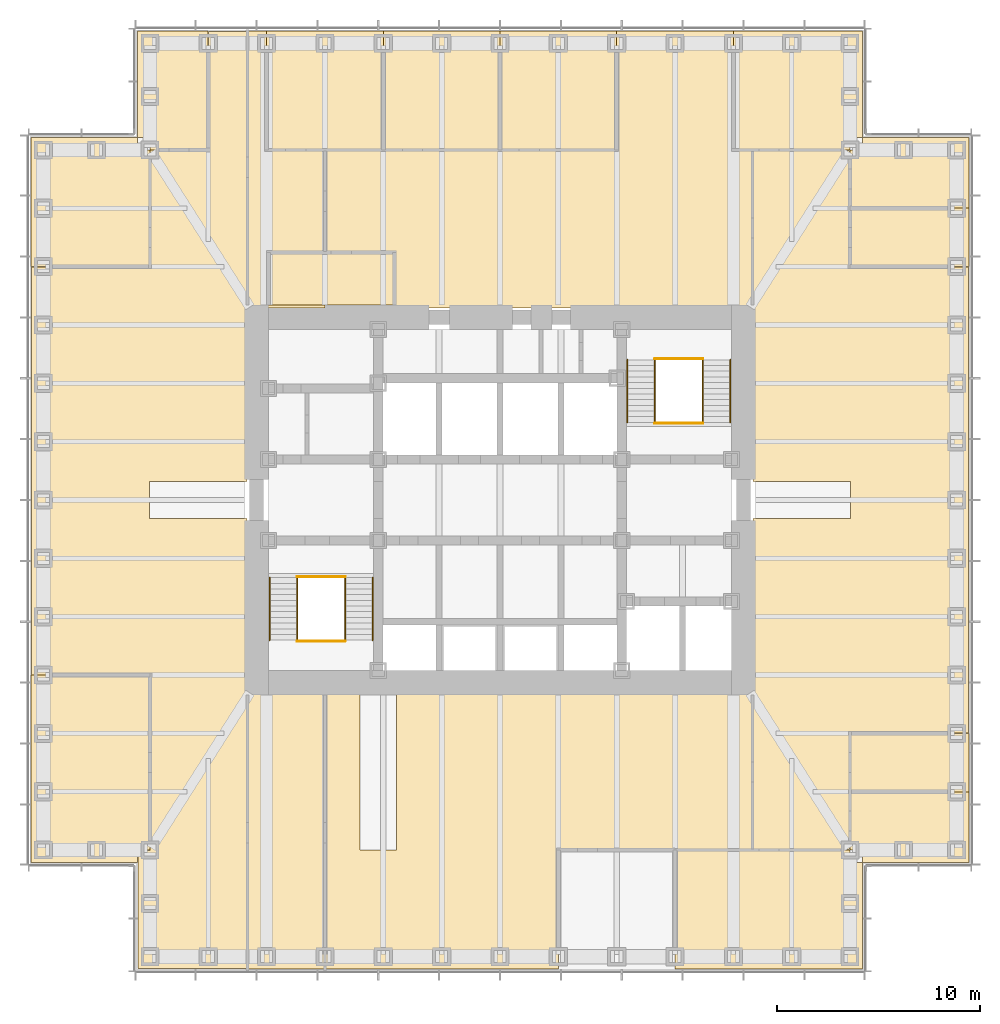
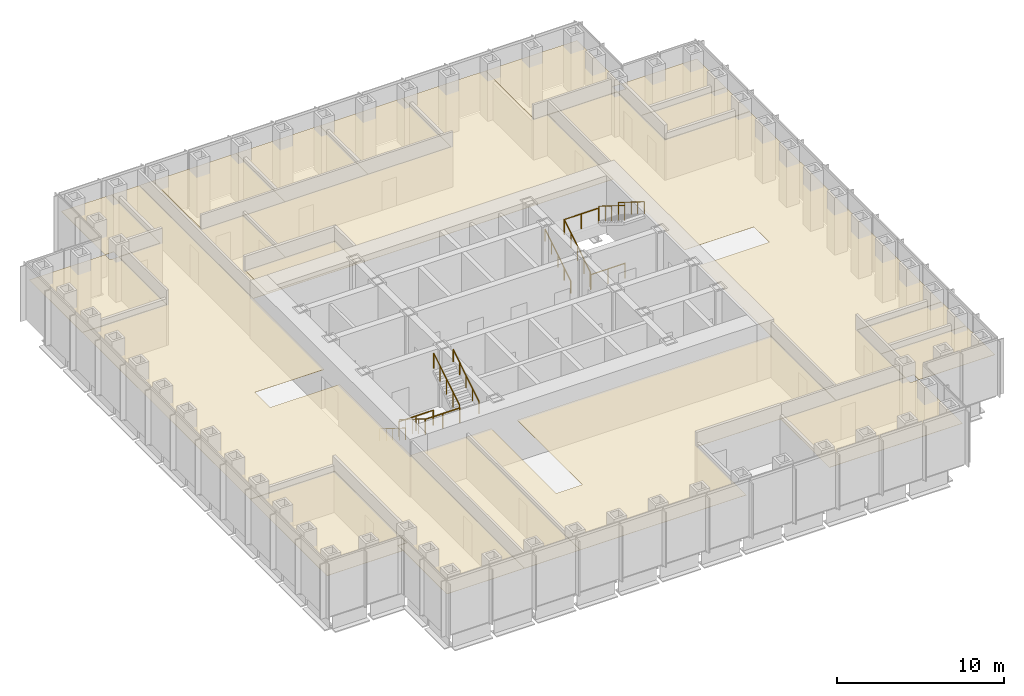
# One storey, part 17 of 17: 19 coverings, 12 railings.
"""IFC4 building model written with IfcOpenShell, lengths in metres."""

from ifc_helpers import new_model, si_unit, direction, frame, origin, origin_2d, place, context, subcontext, project, spatial, polyline, circle, outline, extrude, material, layer, layer_set, type_object, element, save


model = new_model("IFC4")

# Units and contexts
model_context = context("Model", 3, precision=1e-05, world=origin(), true_north=direction((0.0, 1.0)))
body_context = subcontext(model_context, "Body", "Model", "MODEL_VIEW")
ifc_project = project(units=[si_unit("LENGTHUNIT", "METRE"), si_unit("AREAUNIT", "SQUARE_METRE"), si_unit("VOLUMEUNIT", "CUBIC_METRE"), si_unit("PLANEANGLEUNIT", "RADIAN"), si_unit("MASSUNIT", "GRAM", prefix="KILO")], contexts=[model_context])

# Site, building, storey
site_placement = place(None, origin())
site = spatial("IfcSite", under=ifc_project, at=site_placement, CompositionType="ELEMENT")
building_placement = place(site_placement, origin())
building = spatial("IfcBuilding", under=site, at=building_placement, Name="Daluyong Arena Tower", CompositionType="ELEMENT")
storey_placement = place(building_placement, frame((0.0, 0.0, 129.10009765625)))
storey = spatial("IfcBuildingStorey", under=building, at=storey_placement, Name="L28", CompositionType="ELEMENT", Elevation=129.10009765625)

# Coverings
ifc_material_1 = material(Name="Mineral fibre ceiling tile", Category="gypsum board")
ifc_layer = layer(ifc_material_1, 0.02001953125)
ifc_layer_set = layer_set([ifc_layer], Name="Mineral fibre ceiling tile")
covering_type = type_object("IfcCoveringType", Name="Office ceiling", PredefinedType="CEILING", material=ifc_layer_set)
covering_1_placement = place(storey_placement, frame((0.0, 0.0, 2.89990234375)))
element("IfcCovering", 1, at=covering_1_placement, inside=storey, type_object=covering_type, Name="ceiling L28-02", PredefinedType="CEILING", context=body_context, shape_type="SweptSolid", body=[
    extrude(outline(polyline([(73.85009765625, 56.89990234375), (73.85009765625, 62.14990234375), (73.25, 62.14990234375), (73.25, 62.75), (64.625, 62.75), (64.625, 56.89990234375), (73.85009765625, 56.89990234375)])), origin(), (0.0, 0.0, 1.0), 0.02001953125),
])
covering_2_placement = place(storey_placement, frame((0.0, 0.0, 2.89990234375)))
element("IfcCovering", 2, at=covering_2_placement, inside=storey, type_object=covering_type, Name="ceiling L28-03", PredefinedType="CEILING", context=body_context, shape_type="SweptSolid", body=[
    extrude(outline(polyline([(73.85009765625, 62.14990234375), (79.10009765625, 62.14990234375), (79.10009765625, 65.625), (73.25, 65.625), (73.25, 62.75), (73.85009765625, 62.75), (73.85009765625, 62.14990234375)])), origin(), (0.0, 0.0, 1.0), 0.02001953125),
])
covering_3_placement = place(storey_placement, frame((0.0, 0.0, 2.89990234375)))
element("IfcCovering", 3, at=covering_3_placement, inside=storey, type_object=covering_type, Name="ceiling L28-04", PredefinedType="CEILING", context=body_context, shape_type="SweptSolid", body=[
    extrude(outline(polyline([(73.25, 65.625), (79.10009765625, 65.625), (79.10009765625, 68.5), (73.25, 68.5), (73.25, 65.625)])), origin(), (0.0, 0.0, 1.0), 0.02001953125),
])
covering_4_placement = place(storey_placement, frame((0.0, 0.0, 2.89990234375)))
element("IfcCovering", 4, at=covering_4_placement, inside=storey, type_object=covering_type, Name="ceiling L28-05", PredefinedType="CEILING", context=body_context, shape_type="SweptSolid", body=[
    extrude(outline(polyline([(73.25, 91.5), (79.10009765625, 91.5), (79.10009765625, 94.375), (73.25, 94.375), (73.25, 91.5)])), origin(), (0.0, 0.0, 1.0), 0.02001953125),
])
covering_5_placement = place(storey_placement, frame((0.0, 0.0, 2.89990234375)))
element("IfcCovering", 5, at=covering_5_placement, inside=storey, type_object=covering_type, Name="ceiling L28-06", PredefinedType="CEILING", context=body_context, shape_type="SweptSolid", body=[
    extrude(outline(polyline([(73.25, 94.375), (79.10009765625, 94.375), (79.10009765625, 97.85009765625), (73.85009765625, 97.85009765625), (73.85009765625, 97.25), (73.25, 97.25), (73.25, 94.375)])), origin(), (0.0, 0.0, 1.0), 0.02001953125),
])
covering_6_placement = place(storey_placement, frame((0.0, 0.0, 2.89990234375)))
element("IfcCovering", 6, at=covering_6_placement, inside=storey, type_object=covering_type, Name="ceiling L28-07", PredefinedType="CEILING", context=body_context, shape_type="SweptSolid", body=[
    extrude(outline(polyline([(41.625, 97.25), (41.625, 103.10009765625), (38.14990234375, 103.10009765625), (38.14990234375, 97.85009765625), (38.75, 97.85009765625), (38.75, 97.25), (41.625, 97.25)])), origin(), (0.0, 0.0, 1.0), 0.02001953125),
])
covering_7_placement = place(storey_placement, frame((0.0, 0.0, 2.89990234375)))
element("IfcCovering", 7, at=covering_7_placement, inside=storey, type_object=covering_type, Name="ceiling L28-08", PredefinedType="CEILING", context=body_context, shape_type="SweptSolid", body=[
    extrude(outline(polyline([(50.25, 97.25), (50.25, 103.10009765625), (44.5, 103.10009765625), (44.5, 97.25), (50.25, 97.25)])), origin(), (0.0, 0.0, 1.0), 0.02001953125),
])
covering_8_placement = place(storey_placement, frame((0.0, 0.0, 2.89990234375)))
element("IfcCovering", 8, at=covering_8_placement, inside=storey, type_object=covering_type, Name="ceiling L28-09", PredefinedType="CEILING", context=body_context, shape_type="SweptSolid", body=[
    extrude(outline(polyline([(56.0, 97.25), (56.0, 103.10009765625), (50.25, 103.10009765625), (50.25, 97.25), (56.0, 97.25)])), origin(), (0.0, 0.0, 1.0), 0.02001953125),
])
covering_9_placement = place(storey_placement, frame((0.0, 0.0, 2.89990234375)))
element("IfcCovering", 9, at=covering_9_placement, inside=storey, type_object=covering_type, Name="ceiling L28-10", PredefinedType="CEILING", context=body_context, shape_type="SweptSolid", body=[
    extrude(outline(polyline([(61.75, 97.25), (61.75, 103.10009765625), (56.0, 103.10009765625), (56.0, 97.25), (61.75, 97.25)])), origin(), (0.0, 0.0, 1.0), 0.02001953125),
])
covering_10_placement = place(storey_placement, frame((0.0, 0.0, 2.89990234375)))
element("IfcCovering", 10, at=covering_10_placement, inside=storey, type_object=covering_type, Name="ceiling L28-11", PredefinedType="CEILING", context=body_context, shape_type="SweptSolid", body=[
    extrude(outline(polyline([(67.5, 97.25), (73.25, 97.25), (73.25, 97.85009765625), (73.85009765625, 97.85009765625), (73.85009765625, 103.10009765625), (67.5, 103.10009765625), (67.5, 97.25)])), origin(), (0.0, 0.0, 1.0), 0.02001953125),
])
covering_11_placement = place(storey_placement, frame((0.0, 0.0, 2.89990234375)))
element("IfcCovering", 11, at=covering_11_placement, inside=storey, type_object=covering_type, Name="ceiling L28-12", PredefinedType="CEILING", context=body_context, shape_type="SweptSolid", body=[
    extrude(outline(polyline([(32.89990234375, 62.14990234375), (38.14990234375, 62.14990234375), (38.14990234375, 62.75), (38.75, 62.75), (38.75, 71.375), (32.89990234375, 71.375), (32.89990234375, 62.14990234375)])), origin(), (0.0, 0.0, 1.0), 0.02001953125),
])
covering_12_placement = place(storey_placement, frame((0.0, 0.0, 2.89990234375)))
element("IfcCovering", 12, at=covering_12_placement, inside=storey, type_object=covering_type, Name="ceiling L28-13", PredefinedType="CEILING", context=body_context, shape_type="SweptSolid", body=[
    extrude(outline(polyline([(38.75, 91.5), (38.75, 97.25), (38.14990234375, 97.25), (38.14990234375, 97.85009765625), (32.89990234375, 97.85009765625), (32.89990234375, 91.5), (38.75, 91.5)])), origin(), (0.0, 0.0, 1.0), 0.02001953125),
])
covering_13_placement = place(storey_placement, frame((0.0, 0.0, 2.89990234375)))
element("IfcCovering", 13, at=covering_13_placement, inside=storey, type_object=covering_type, Name="ceiling L28-14", PredefinedType="CEILING", context=body_context, shape_type="SweptSolid", body=[
    extrude(outline(polyline([(44.60009765625, 89.60009765625), (50.800048828125, 89.60009765625), (50.800048828125, 92.199951171875), (44.60009765625, 92.199951171875), (44.60009765625, 89.60009765625)])), origin(), (0.0, 0.0, 1.0), 0.02001953125),
])
covering_14_placement = place(storey_placement, frame((0.0, 0.0, 2.89990234375)))
element("IfcCovering", 14, at=covering_14_placement, inside=storey, type_object=covering_type, Name="ceiling L28-18", PredefinedType="CEILING", context=body_context, shape_type="SweptSolid", body=[
    extrude(outline(polyline([(68.469970703125, 79.080078125), (68.469970703125, 62.77001953125), (73.22998046875, 62.77001953125), (73.22998046875, 68.52001953125), (79.080078125, 68.52001953125), (79.080078125, 91.47998046875), (73.22998046875, 91.47998046875), (73.22998046875, 97.22998046875), (68.469970703125, 97.22998046875), (68.469970703125, 80.919921875), (73.27001953125, 80.919921875), (73.27001953125, 79.080078125), (68.469970703125, 79.080078125)])), origin(), (0.0, 0.0, 1.0), 0.02001953125),
])
covering_15_placement = place(storey_placement, frame((0.0, 0.0, 2.89990234375)))
element("IfcCovering", 15, at=covering_15_placement, inside=storey, type_object=covering_type, Name="ceiling L28-19", PredefinedType="CEILING", context=body_context, shape_type="SweptSolid", body=[
    extrude(outline(polyline([(38.760009765625, 97.239990234375), (38.760009765625, 91.489990234375), (32.909912109375, 91.489990234375), (32.909912109375, 71.385009765625), (38.760009765625, 71.385009765625), (38.760009765625, 62.739990234375), (38.159912109375, 62.739990234375), (38.159912109375, 56.909912109375), (43.5400390625, 56.909912109375), (43.5400390625, 79.090087890625), (38.739990234375, 79.090087890625), (38.739990234375, 80.909912109375), (43.5400390625, 80.909912109375), (43.5400390625, 103.090087890625), (41.635009765625, 103.090087890625), (41.635009765625, 97.239990234375), (38.760009765625, 97.239990234375)])), origin(), (0.0, 0.0, 1.0), 0.02001953125),
])
covering_16_placement = place(storey_placement, frame((0.0, 0.0, 2.89990234375)))
element("IfcCovering", 16, at=covering_16_placement, inside=storey, type_object=covering_type, Name="ceiling L28-20", PredefinedType="CEILING", context=body_context, shape_type="SweptSolid", body=[
    extrude(outline(polyline([(43.550048828125, 56.89990234375), (47.375, 56.89990234375), (47.375, 70.550048828125), (43.550048828125, 70.550048828125), (43.550048828125, 56.89990234375)])), origin(), (0.0, 0.0, 1.0), 0.02001953125),
])
covering_17_placement = place(storey_placement, frame((0.0, 0.0, 2.89990234375)))
element("IfcCovering", 17, at=covering_17_placement, inside=storey, type_object=covering_type, Name="ceiling L28-21", PredefinedType="CEILING", context=body_context, shape_type="SweptSolid", body=[
    extrude(outline(polyline([(68.449951171875, 62.75), (68.449951171875, 70.550048828125), (50.89990234375, 70.550048828125), (50.89990234375, 62.75), (49.10009765625, 62.75), (49.10009765625, 70.550048828125), (47.375, 70.550048828125), (47.375, 56.89990234375), (58.875, 56.89990234375), (58.875, 62.75), (68.449951171875, 62.75)])), origin(), (0.0, 0.0, 1.0), 0.02001953125),
])
covering_18_placement = place(storey_placement, frame((0.0, 0.0, 2.89990234375)))
element("IfcCovering", 18, at=covering_18_placement, inside=storey, type_object=covering_type, Name="ceiling L28-22", PredefinedType="CEILING", context=body_context, shape_type="SweptSolid", body=[
    extrude(outline(polyline([(44.5, 103.10009765625), (43.550048828125, 103.10009765625), (43.550048828125, 89.449951171875), (47.375, 89.449951171875), (47.375, 89.60009765625), (44.60009765625, 89.60009765625), (44.60009765625, 92.199951171875), (47.375, 92.199951171875), (47.375, 97.25), (44.5, 97.25), (44.5, 103.10009765625)])), origin(), (0.0, 0.0, 1.0), 0.02001953125),
])
covering_19_placement = place(storey_placement, frame((0.0, 0.0, 2.89990234375)))
element("IfcCovering", 19, at=covering_19_placement, inside=storey, type_object=covering_type, Name="ceiling L28-23", PredefinedType="CEILING", context=body_context, shape_type="SweptSolid", body=[
    extrude(outline(polyline([(47.375, 97.25), (47.375, 92.199951171875), (50.800048828125, 92.199951171875), (50.800048828125, 89.60009765625), (47.375, 89.60009765625), (47.375, 89.449951171875), (68.449951171875, 89.449951171875), (68.449951171875, 97.25), (67.5, 97.25), (67.5, 103.10009765625), (61.75, 103.10009765625), (61.75, 97.25), (47.375, 97.25)])), origin(), (0.0, 0.0, 1.0), 0.02001953125),
])

# Railings
ifc_material_2 = material(Name="Stainless steel handrail", Category="steel")
railing_type_1 = type_object("IfcRailingType", Name="Stair handrail", PredefinedType="HANDRAIL", material=ifc_material_2)
railing_1_placement = place(storey_placement, frame((44.64990234375, 76.175048828125, 0.1748046875)))
element("IfcRailing", 20, at=railing_1_placement, inside=storey, type_object=railing_type_1, Name="exit stair A handrail L28", PredefinedType="HANDRAIL", context=body_context, shape_type="SweptSolid", body=[
    extrude(circle(Radius=0.02392578125, at=origin_2d()), frame((0.0, 0.0, 0.8759765625), z_axis=(0.0, -0.847998304005, 0.529998940003), x_axis=(1.0, 0.0, 0.0)), (0.0, 0.0, 1.0), 3.632080078125),
    extrude(circle(Radius=0.02099609375, at=origin_2d()), origin(), (0.0, 0.0, 1.0), 0.851806640625),
    extrude(circle(Radius=0.02099609375, at=origin_2d()), frame((0.0, -0.77001953125, 0.481201171875)), (0.0, 0.0, 1.0), 0.851806640625),
    extrude(circle(Radius=0.02099609375, at=origin_2d()), frame((0.0, -1.5400390625, 0.96240234375)), (0.0, 0.0, 1.0), 0.851806640625),
    extrude(circle(Radius=0.02099609375, at=origin_2d()), frame((0.0, -2.31005859375, 1.44384765625)), (0.0, 0.0, 1.0), 0.851806640625),
    extrude(circle(Radius=0.02099609375, at=origin_2d()), frame((0.0, -3.080078125, 1.925048828125)), (0.0, 0.0, 1.0), 0.851806640625),
])
for number, where, name in (
    (21, (49.72509765625, 73.094970703125, 2.27490234375), "exit stair A handrail L28"),
    (22, (62.27490234375, 83.824951171875, 0.1748046875), "exit stair B handrail L28"),
):
    element("IfcRailing", number, at=place(storey_placement, frame(where)), inside=storey, type_object=railing_type_1, Name=name, PredefinedType="HANDRAIL", context=body_context, shape_type="SweptSolid", body=[
        extrude(circle(Radius=0.02392578125, at=origin_2d()), frame((0.0, 0.0, 0.8759765625), z_axis=(0.0, 0.847998304005, 0.529998940003), x_axis=(-1.0, 0.0, 0.0)), (0.0, 0.0, 1.0), 3.632080078125),
        extrude(circle(Radius=0.02099609375, at=origin_2d()), origin(), (0.0, 0.0, 1.0), 0.851806640625),
        extrude(circle(Radius=0.02099609375, at=origin_2d()), frame((0.0, 0.77001953125, 0.481201171875)), (0.0, 0.0, 1.0), 0.851806640625),
        extrude(circle(Radius=0.02099609375, at=origin_2d()), frame((0.0, 1.5400390625, 0.96240234375)), (0.0, 0.0, 1.0), 0.851806640625),
        extrude(circle(Radius=0.02099609375, at=origin_2d()), frame((0.0, 2.31005859375, 1.44384765625)), (0.0, 0.0, 1.0), 0.851806640625),
        extrude(circle(Radius=0.02099609375, at=origin_2d()), frame((0.0, 3.080078125, 1.925048828125)), (0.0, 0.0, 1.0), 0.851806640625),
    ])
railing_2_placement = place(storey_placement, frame((67.35009765625, 86.905029296875, 2.27490234375)))
element("IfcRailing", 23, at=railing_2_placement, inside=storey, type_object=railing_type_1, Name="exit stair B handrail L28", PredefinedType="HANDRAIL", context=body_context, shape_type="SweptSolid", body=[
    extrude(circle(Radius=0.02392578125, at=origin_2d()), frame((0.0, 0.0, 0.8759765625), z_axis=(0.0, -0.847998304005, 0.529998940003), x_axis=(1.0, 0.0, 0.0)), (0.0, 0.0, 1.0), 3.632080078125),
    extrude(circle(Radius=0.02099609375, at=origin_2d()), origin(), (0.0, 0.0, 1.0), 0.851806640625),
    extrude(circle(Radius=0.02099609375, at=origin_2d()), frame((0.0, -0.77001953125, 0.481201171875)), (0.0, 0.0, 1.0), 0.851806640625),
    extrude(circle(Radius=0.02099609375, at=origin_2d()), frame((0.0, -1.5400390625, 0.96240234375)), (0.0, 0.0, 1.0), 0.851806640625),
    extrude(circle(Radius=0.02099609375, at=origin_2d()), frame((0.0, -2.31005859375, 1.44384765625)), (0.0, 0.0, 1.0), 0.851806640625),
    extrude(circle(Radius=0.02099609375, at=origin_2d()), frame((0.0, -3.080078125, 1.925048828125)), (0.0, 0.0, 1.0), 0.851806640625),
])
ifc_material_3 = material(Name="Steel balustrade", Category="steel")
railing_type_2 = type_object("IfcRailingType", Name="Stair well guard 1100", PredefinedType="GUARDRAIL", material=ifc_material_3)
railing_3_placement = place(storey_placement, frame((46.0, 76.175048828125, 0.1748046875)))
element("IfcRailing", 24, at=railing_3_placement, inside=storey, type_object=railing_type_2, Name="exit stair A well guard L28", PredefinedType="GUARDRAIL", context=body_context, shape_type="SweptSolid", body=[
    extrude(circle(Radius=0.02392578125, at=origin_2d()), frame((0.0, 0.0, 1.076171875), z_axis=(0.0, -0.847998304005, 0.529998940003), x_axis=(1.0, 0.0, 0.0)), (0.0, 0.0, 1.0), 3.632080078125),
    extrude(circle(Radius=0.02099609375, at=origin_2d()), origin(), (0.0, 0.0, 1.0), 1.052001953125),
    extrude(circle(Radius=0.02099609375, at=origin_2d()), frame((0.0, -0.77001953125, 0.481201171875)), (0.0, 0.0, 1.0), 1.052001953125),
    extrude(circle(Radius=0.02099609375, at=origin_2d()), frame((0.0, -1.5400390625, 0.96240234375)), (0.0, 0.0, 1.0), 1.052001953125),
    extrude(circle(Radius=0.02099609375, at=origin_2d()), frame((0.0, -2.31005859375, 1.44384765625)), (0.0, 0.0, 1.0), 1.052001953125),
    extrude(circle(Radius=0.02099609375, at=origin_2d()), frame((0.0, -3.080078125, 1.925048828125)), (0.0, 0.0, 1.0), 1.052001953125),
])
railing_4_placement = place(storey_placement, frame((48.375, 73.094970703125, 2.27490234375)))
element("IfcRailing", 25, at=railing_4_placement, inside=storey, type_object=railing_type_2, Name="exit stair A well guard L28", PredefinedType="GUARDRAIL", context=body_context, shape_type="SweptSolid", body=[
    extrude(circle(Radius=0.02392578125, at=origin_2d()), frame((0.0, 0.0, 1.076171875), z_axis=(0.0, 0.847998304005, 0.529998940003), x_axis=(-1.0, 0.0, 0.0)), (0.0, 0.0, 1.0), 3.632080078125),
    extrude(circle(Radius=0.02099609375, at=origin_2d()), origin(), (0.0, 0.0, 1.0), 1.052001953125),
    extrude(circle(Radius=0.02099609375, at=origin_2d()), frame((0.0, 0.77001953125, 0.481201171875)), (0.0, 0.0, 1.0), 1.052001953125),
    extrude(circle(Radius=0.02099609375, at=origin_2d()), frame((0.0, 1.5400390625, 0.96240234375)), (0.0, 0.0, 1.0), 1.052001953125),
    extrude(circle(Radius=0.02099609375, at=origin_2d()), frame((0.0, 2.31005859375, 1.44384765625)), (0.0, 0.0, 1.0), 1.052001953125),
    extrude(circle(Radius=0.02099609375, at=origin_2d()), frame((0.0, 3.080078125, 1.925048828125)), (0.0, 0.0, 1.0), 1.052001953125),
])
for number, where, name in (
    (26, (46.0, 73.044921875, 2.099853515625), "exit stair A landing guard L28"),
    (27, (46.0, 76.22509765625, 0.0), "exit stair A floor landing guard L28"),
):
    element("IfcRailing", number, at=place(storey_placement, frame(where)), inside=storey, type_object=railing_type_2, Name=name, PredefinedType="GUARDRAIL", context=body_context, shape_type="SweptSolid", body=[
        extrude(circle(Radius=0.02392578125, at=origin_2d()), frame((0.0, 0.0, 1.076171875), z_axis=(1.0, 0.0, 0.0), x_axis=(0.0, 1.0, 0.0)), (0.0, 0.0, 1.0), 2.375),
        extrude(circle(Radius=0.02099609375, at=origin_2d()), origin(), (0.0, 0.0, 1.0), 1.052001953125),
        extrude(circle(Radius=0.02099609375, at=origin_2d()), frame((1.1875, 0.0, 0.0)), (0.0, 0.0, 1.0), 1.052001953125),
        extrude(circle(Radius=0.02099609375, at=origin_2d()), frame((2.375, 0.0, 0.0)), (0.0, 0.0, 1.0), 1.052001953125),
    ])
railing_5_placement = place(storey_placement, frame((63.625, 83.824951171875, 0.1748046875)))
element("IfcRailing", 28, at=railing_5_placement, inside=storey, type_object=railing_type_2, Name="exit stair B well guard L28", PredefinedType="GUARDRAIL", context=body_context, shape_type="SweptSolid", body=[
    extrude(circle(Radius=0.02392578125, at=origin_2d()), frame((0.0, 0.0, 1.076171875), z_axis=(0.0, 0.847998304005, 0.529998940003), x_axis=(-1.0, 0.0, 0.0)), (0.0, 0.0, 1.0), 3.632080078125),
    extrude(circle(Radius=0.02099609375, at=origin_2d()), origin(), (0.0, 0.0, 1.0), 1.052001953125),
    extrude(circle(Radius=0.02099609375, at=origin_2d()), frame((0.0, 0.77001953125, 0.481201171875)), (0.0, 0.0, 1.0), 1.052001953125),
    extrude(circle(Radius=0.02099609375, at=origin_2d()), frame((0.0, 1.5400390625, 0.96240234375)), (0.0, 0.0, 1.0), 1.052001953125),
    extrude(circle(Radius=0.02099609375, at=origin_2d()), frame((0.0, 2.31005859375, 1.44384765625)), (0.0, 0.0, 1.0), 1.052001953125),
    extrude(circle(Radius=0.02099609375, at=origin_2d()), frame((0.0, 3.080078125, 1.925048828125)), (0.0, 0.0, 1.0), 1.052001953125),
])
railing_6_placement = place(storey_placement, frame((66.0, 86.905029296875, 2.27490234375)))
element("IfcRailing", 29, at=railing_6_placement, inside=storey, type_object=railing_type_2, Name="exit stair B well guard L28", PredefinedType="GUARDRAIL", context=body_context, shape_type="SweptSolid", body=[
    extrude(circle(Radius=0.02392578125, at=origin_2d()), frame((0.0, 0.0, 1.076171875), z_axis=(0.0, -0.847998304005, 0.529998940003), x_axis=(1.0, 0.0, 0.0)), (0.0, 0.0, 1.0), 3.632080078125),
    extrude(circle(Radius=0.02099609375, at=origin_2d()), origin(), (0.0, 0.0, 1.0), 1.052001953125),
    extrude(circle(Radius=0.02099609375, at=origin_2d()), frame((0.0, -0.77001953125, 0.481201171875)), (0.0, 0.0, 1.0), 1.052001953125),
    extrude(circle(Radius=0.02099609375, at=origin_2d()), frame((0.0, -1.5400390625, 0.96240234375)), (0.0, 0.0, 1.0), 1.052001953125),
    extrude(circle(Radius=0.02099609375, at=origin_2d()), frame((0.0, -2.31005859375, 1.44384765625)), (0.0, 0.0, 1.0), 1.052001953125),
    extrude(circle(Radius=0.02099609375, at=origin_2d()), frame((0.0, -3.080078125, 1.925048828125)), (0.0, 0.0, 1.0), 1.052001953125),
])
for number, where, name in (
    (30, (63.625, 86.955078125, 2.099853515625), "exit stair B landing guard L28"),
    (31, (63.625, 83.77490234375, 0.0), "exit stair B floor landing guard L28"),
):
    element("IfcRailing", number, at=place(storey_placement, frame(where)), inside=storey, type_object=railing_type_2, Name=name, PredefinedType="GUARDRAIL", context=body_context, shape_type="SweptSolid", body=[
        extrude(circle(Radius=0.02392578125, at=origin_2d()), frame((0.0, 0.0, 1.076171875), z_axis=(1.0, 0.0, 0.0), x_axis=(0.0, 1.0, 0.0)), (0.0, 0.0, 1.0), 2.375),
        extrude(circle(Radius=0.02099609375, at=origin_2d()), origin(), (0.0, 0.0, 1.0), 1.052001953125),
        extrude(circle(Radius=0.02099609375, at=origin_2d()), frame((1.1875, 0.0, 0.0)), (0.0, 0.0, 1.0), 1.052001953125),
        extrude(circle(Radius=0.02099609375, at=origin_2d()), frame((2.375, 0.0, 0.0)), (0.0, 0.0, 1.0), 1.052001953125),
    ])

save(model, "model.ifc")
